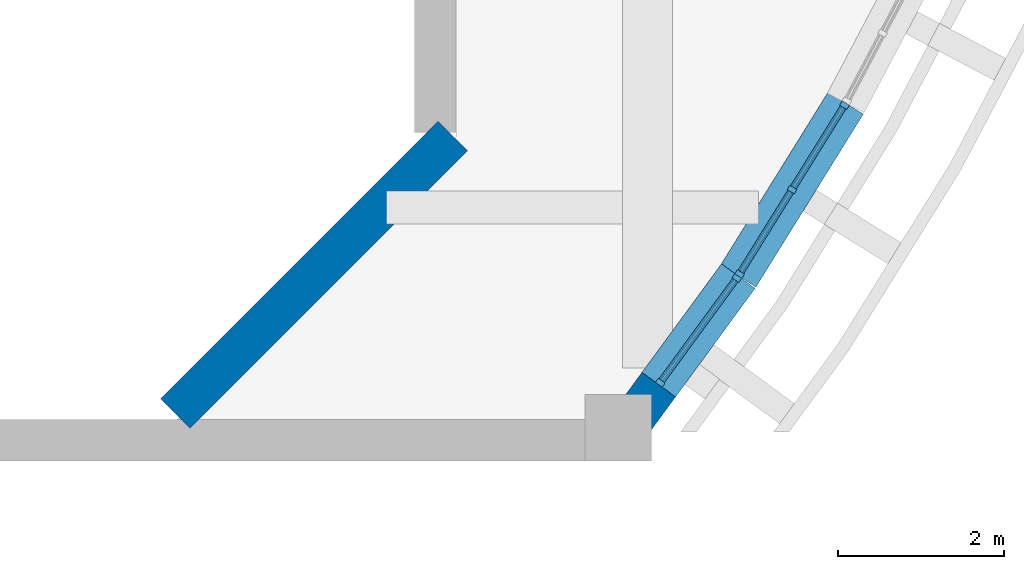
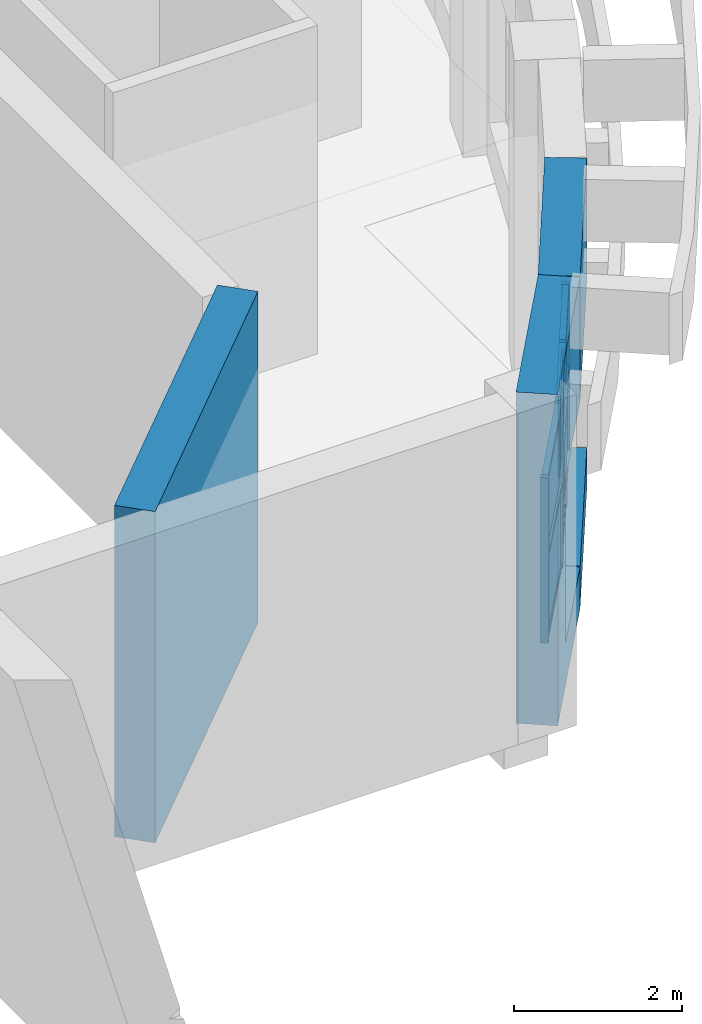
# One storey, part 14 of 79: 14 members, 6 plates, 3 walls, 2 openings, 2 elements without a shape of their own.
"""IFC4 building model written with IfcOpenShell, lengths in metres."""

from ifc_helpers import new_model, si_unit, direction, frame, frame_2d, origin, origin_2d, place, context, subcontext, project, spatial, rectangle, extrude, material, layer, layer_set, material_profile, profile_set, type_object, element, fill, aggregate, save


model = new_model("IFC4")

# Units and contexts
model_context = context("Model", 3, precision=1e-05, world=origin(), true_north=direction((0.0, 1.0)))
body_context = subcontext(model_context, "Body", "Model", "MODEL_VIEW")
ifc_project = project(units=[si_unit("LENGTHUNIT", "METRE"), si_unit("AREAUNIT", "SQUARE_METRE"), si_unit("VOLUMEUNIT", "CUBIC_METRE"), si_unit("PLANEANGLEUNIT", "RADIAN"), si_unit("MASSUNIT", "GRAM", prefix="KILO")], contexts=[model_context])

# Site, building, storey
site_placement = place(None, origin())
site = spatial("IfcSite", under=ifc_project, at=site_placement, CompositionType="ELEMENT")
building_placement = place(site_placement, origin())
building = spatial("IfcBuilding", under=site, at=building_placement, Name="Larchfold Concert Hall", CompositionType="ELEMENT")
storey_placement = place(building_placement, frame((0.0, 0.0, 14.39990234375)))
storey = spatial("IfcBuildingStorey", under=building, at=storey_placement, Name="L03", CompositionType="ELEMENT", Elevation=14.39990234375)

# Curtain wall, members
ifc_material_1 = material(Name="Anodised graphite aluminium curtain wall", Category="aluminium")
ifc_layer_1 = layer(ifc_material_1, 0.10009765625)
ifc_layer_set_1 = layer_set([ifc_layer_1], Name="Anodised graphite aluminium curtain wall")
curtain_wall_type = type_object("IfcCurtainWallType", Name="Curtain wall GB", PredefinedType="NOTDEFINED", material=ifc_layer_set_1)
curtain_wall_1_placement = place(storey_placement, origin())
curtain_wall_1 = element("IfcCurtainWall", 1, at=curtain_wall_1_placement, inside=storey, type_object=curtain_wall_type, Name="Curtain wall CW0050", PredefinedType="NOTDEFINED")
ifc_material_2 = material(Name="Anodised graphite aluminium mullion", Category="aluminium")
ifc_material_profile_1 = material_profile(ifc_material_2, rectangle(XDim=0.10009765625, YDim=0.06005859375, at=origin_2d()))
ifc_profile_set_1 = profile_set([ifc_material_profile_1], Name="Anodised graphite aluminium mullion")
member_type_1 = type_object("IfcMemberType", Name="Aluminium mullion 60x100", PredefinedType="MULLION", material=ifc_profile_set_1)
member_1_placement = place(storey_placement, frame((59.55517578125, 60.093505859375, 0.60009765625), z_axis=(0.0, 0.0, 1.0), x_axis=(-0.806860252688, 0.590742357236, 0.0)))
member_1 = element("IfcMember", 2, at=member_1_placement, type_object=member_type_1, Name="CW0050 mullion 1", PredefinedType="MULLION", context=body_context, shape_type="SweptSolid", body=[
    extrude(rectangle(XDim=0.10009765625, YDim=0.06005859375, at=origin_2d()), origin(), (0.0, 0.0, 1.0), 2.39990234375),
])
member_2_placement = place(storey_placement, frame((60.475830078125, 61.351318359375, 0.60009765625), z_axis=(0.0, 0.0, 1.0), x_axis=(-0.806860252688, 0.590742357236, 0.0)))
member_2 = element("IfcMember", 3, at=member_2_placement, type_object=member_type_1, Name="CW0050 mullion 2", PredefinedType="MULLION", context=body_context, shape_type="SweptSolid", body=[
    extrude(rectangle(XDim=0.10009765625, YDim=0.06005859375, at=origin_2d()), origin(), (0.0, 0.0, 1.0), 2.39990234375),
])

curtain_wall_2_placement = place(storey_placement, origin())
curtain_wall_2 = element("IfcCurtainWall", 4, at=curtain_wall_2_placement, inside=storey, type_object=curtain_wall_type, Name="Curtain wall CW0051", PredefinedType="NOTDEFINED")
member_3_placement = place(storey_placement, frame((60.509521484375, 61.40087890625, 0.60009765625), z_axis=(0.0, 0.0, 1.0), x_axis=(-0.849429063109, 0.527702820483, 0.0)))
member_3 = element("IfcMember", 5, at=member_3_placement, type_object=member_type_1, Name="CW0051 mullion 1", PredefinedType="MULLION", context=body_context, shape_type="SweptSolid", body=[
    extrude(rectangle(XDim=0.10009765625, YDim=0.06005859375, at=origin_2d()), origin(), (0.0, 0.0, 1.0), 2.39990234375),
])
member_4_placement = place(storey_placement, frame((61.139892578125, 62.41552734375, 0.60009765625), z_axis=(0.0, 0.0, 1.0), x_axis=(-0.849429063109, 0.527702820483, 0.0)))
member_4 = element("IfcMember", 6, at=member_4_placement, type_object=member_type_1, Name="CW0051 mullion 2", PredefinedType="MULLION", context=body_context, shape_type="SweptSolid", body=[
    extrude(rectangle(XDim=0.10009765625, YDim=0.06005859375, at=origin_2d()), origin(), (0.0, 0.0, 1.0), 2.39990234375),
])
member_5_placement = place(storey_placement, frame((61.77001953125, 63.43017578125, 0.60009765625), z_axis=(0.0, 0.0, 1.0), x_axis=(-0.849429063109, 0.527702820483, 0.0)))
member_5 = element("IfcMember", 7, at=member_5_placement, type_object=member_type_1, Name="CW0051 mullion 3", PredefinedType="MULLION", context=body_context, shape_type="SweptSolid", body=[
    extrude(rectangle(XDim=0.10009765625, YDim=0.06005859375, at=origin_2d()), origin(), (0.0, 0.0, 1.0), 2.39990234375),
])

# Member
ifc_material_3 = material(Name="Anodised graphite aluminium transom", Category="aluminium")
ifc_material_profile_2 = material_profile(ifc_material_3, rectangle(XDim=0.080078125, YDim=0.06005859375, at=origin_2d()))
ifc_profile_set_2 = profile_set([ifc_material_profile_2], Name="Anodised graphite aluminium transom")
member_type_2 = type_object("IfcMemberType", Name="Aluminium transom 60x80", PredefinedType="USERDEFINED", material=ifc_profile_set_2)
member_6_placement = place(storey_placement, frame((59.57275390625, 60.11767578125, 0.630126953125), z_axis=(0.590735063539, 0.806865592714, 0.0), x_axis=(-0.806865592714, 0.590735063539, 0.0)))
member_6 = element("IfcMember", 8, at=member_6_placement, type_object=member_type_2, Name="CW0050 transom 1.1", ObjectType="TRANSOM", PredefinedType="USERDEFINED", context=body_context, shape_type="SweptSolid", body=[
    extrude(rectangle(XDim=0.080078125, YDim=0.06005859375, at=origin_2d()), origin(), (0.0, 0.0, 1.0), 1.4990234375),
])

member_7_placement = place(storey_placement, frame((59.57275390625, 60.11767578125, 1.800048828125), z_axis=(0.590735063539, 0.806865592714, 0.0), x_axis=(-0.806865592714, 0.590735063539, 0.0)))
member_7 = element("IfcMember", 9, at=member_7_placement, type_object=member_type_2, Name="CW0050 transom 1.2", ObjectType="TRANSOM", PredefinedType="USERDEFINED", context=body_context, shape_type="SweptSolid", body=[
    extrude(rectangle(XDim=0.080078125, YDim=0.06005859375, at=origin_2d()), origin(), (0.0, 0.0, 1.0), 1.4990234375),
])

member_8_placement = place(storey_placement, frame((59.57275390625, 60.11767578125, 2.969970703125), z_axis=(0.590735063539, 0.806865592714, 0.0), x_axis=(-0.806865592714, 0.590735063539, 0.0)))
member_8 = element("IfcMember", 10, at=member_8_placement, type_object=member_type_2, Name="CW0050 transom 1.3", ObjectType="TRANSOM", PredefinedType="USERDEFINED", context=body_context, shape_type="SweptSolid", body=[
    extrude(rectangle(XDim=0.080078125, YDim=0.06005859375, at=origin_2d()), origin(), (0.0, 0.0, 1.0), 1.4990234375),
])

member_9_placement = place(storey_placement, frame((60.525390625, 61.426513671875, 0.630126953125), z_axis=(0.527694965356, 0.84943394301, 0.0), x_axis=(-0.84943394301, 0.527694965356, 0.0)))
member_9 = element("IfcMember", 11, at=member_9_placement, type_object=member_type_2, Name="CW0051 transom 1.1", ObjectType="TRANSOM", PredefinedType="USERDEFINED", context=body_context, shape_type="SweptSolid", body=[
    extrude(rectangle(XDim=0.080078125, YDim=0.06005859375, at=origin_2d()), origin(), (0.0, 0.0, 1.0), 1.134521484375),
])

member_10_placement = place(storey_placement, frame((60.525390625, 61.426513671875, 1.800048828125), z_axis=(0.527694965356, 0.84943394301, 0.0), x_axis=(-0.84943394301, 0.527694965356, 0.0)))
member_10 = element("IfcMember", 12, at=member_10_placement, type_object=member_type_2, Name="CW0051 transom 1.2", ObjectType="TRANSOM", PredefinedType="USERDEFINED", context=body_context, shape_type="SweptSolid", body=[
    extrude(rectangle(XDim=0.080078125, YDim=0.06005859375, at=origin_2d()), origin(), (0.0, 0.0, 1.0), 1.134521484375),
])

member_11_placement = place(storey_placement, frame((60.525390625, 61.426513671875, 2.969970703125), z_axis=(0.527694965356, 0.84943394301, 0.0), x_axis=(-0.84943394301, 0.527694965356, 0.0)))
member_11 = element("IfcMember", 13, at=member_11_placement, type_object=member_type_2, Name="CW0051 transom 1.3", ObjectType="TRANSOM", PredefinedType="USERDEFINED", context=body_context, shape_type="SweptSolid", body=[
    extrude(rectangle(XDim=0.080078125, YDim=0.06005859375, at=origin_2d()), origin(), (0.0, 0.0, 1.0), 1.134521484375),
])

member_12_placement = place(storey_placement, frame((61.155517578125, 62.44091796875, 0.630126953125), z_axis=(0.527694965356, 0.84943394301, 0.0), x_axis=(-0.84943394301, 0.527694965356, 0.0)))
member_12 = element("IfcMember", 14, at=member_12_placement, type_object=member_type_2, Name="CW0051 transom 2.1", ObjectType="TRANSOM", PredefinedType="USERDEFINED", context=body_context, shape_type="SweptSolid", body=[
    extrude(rectangle(XDim=0.080078125, YDim=0.06005859375, at=origin_2d()), origin(), (0.0, 0.0, 1.0), 1.134521484375),
])

member_13_placement = place(storey_placement, frame((61.155517578125, 62.44091796875, 1.800048828125), z_axis=(0.527694965356, 0.84943394301, 0.0), x_axis=(-0.84943394301, 0.527694965356, 0.0)))
member_13 = element("IfcMember", 15, at=member_13_placement, type_object=member_type_2, Name="CW0051 transom 2.2", ObjectType="TRANSOM", PredefinedType="USERDEFINED", context=body_context, shape_type="SweptSolid", body=[
    extrude(rectangle(XDim=0.080078125, YDim=0.06005859375, at=origin_2d()), origin(), (0.0, 0.0, 1.0), 1.134521484375),
])

member_14_placement = place(storey_placement, frame((61.155517578125, 62.44091796875, 2.969970703125), z_axis=(0.527694965356, 0.84943394301, 0.0), x_axis=(-0.84943394301, 0.527694965356, 0.0)))
member_14 = element("IfcMember", 16, at=member_14_placement, type_object=member_type_2, Name="CW0051 transom 2.3", ObjectType="TRANSOM", PredefinedType="USERDEFINED", context=body_context, shape_type="SweptSolid", body=[
    extrude(rectangle(XDim=0.080078125, YDim=0.06005859375, at=origin_2d()), origin(), (0.0, 0.0, 1.0), 1.134521484375),
])

# Plate
ifc_material_4 = material(Name="Insulated glazing unit, glass", Category="glass")
ifc_layer_2 = layer(ifc_material_4, 0.02392578125)
ifc_layer_set_2 = layer_set([ifc_layer_2], Name="Insulated glazing unit, glass")
plate_type_1 = type_object("IfcPlateType", Name="Glass panel 24", PredefinedType="CURTAIN_PANEL", material=ifc_layer_set_2)
plate_1_placement = place(storey_placement, frame((60.015625, 60.722412109375, 1.830078125), z_axis=(0.0, 0.0, 1.0), x_axis=(0.590742357236, 0.806860252688, 0.0)))
plate_1 = element("IfcPlate", 17, at=plate_1_placement, type_object=plate_type_1, Name="CW0050 panel 1.2", PredefinedType="CURTAIN_PANEL", context=body_context, shape_type="SweptSolid", body=[
    extrude(rectangle(XDim=1.498779296875, YDim=0.02392578125, at=origin_2d()), origin(), (0.0, 0.0, 1.0), 1.10986328125),
])

plate_2_placement = place(storey_placement, frame((60.82470703125, 61.908203125, 1.830078125), z_axis=(0.0, 0.0, 1.0), x_axis=(0.527702820483, 0.849429063109, 0.0)))
plate_2 = element("IfcPlate", 18, at=plate_2_placement, type_object=plate_type_1, Name="CW0051 panel 1.2", PredefinedType="CURTAIN_PANEL", context=body_context, shape_type="SweptSolid", body=[
    extrude(rectangle(XDim=1.13427734375, YDim=0.02392578125, at=origin_2d()), origin(), (0.0, 0.0, 1.0), 1.10986328125),
])

plate_3_placement = place(storey_placement, frame((61.454833984375, 62.9228515625, 1.830078125), z_axis=(0.0, 0.0, 1.0), x_axis=(0.527702820483, 0.849429063109, 0.0)))
plate_3 = element("IfcPlate", 19, at=plate_3_placement, type_object=plate_type_1, Name="CW0051 panel 2.2", PredefinedType="CURTAIN_PANEL", context=body_context, shape_type="SweptSolid", body=[
    extrude(rectangle(XDim=1.13427734375, YDim=0.02392578125, at=origin_2d()), origin(), (0.0, 0.0, 1.0), 1.10986328125),
])

ifc_material_5 = material(Name="White insulated panel")
ifc_layer_3 = layer(ifc_material_5, 0.050048828125)
ifc_layer_set_3 = layer_set([ifc_layer_3], Name="White insulated panel")
plate_type_2 = type_object("IfcPlateType", Name="Insulated spandrel panel 50", PredefinedType="CURTAIN_PANEL", material=ifc_layer_set_3)
plate_4_placement = place(storey_placement, frame((60.015625, 60.722412109375, 0.66015625), z_axis=(0.0, 0.0, 1.0), x_axis=(0.590742357236, 0.806860252688, 0.0)))
plate_4 = element("IfcPlate", 20, at=plate_4_placement, type_object=plate_type_2, Name="CW0050 panel 1.1", PredefinedType="CURTAIN_PANEL", context=body_context, shape_type="SweptSolid", body=[
    extrude(rectangle(XDim=1.498779296875, YDim=0.050048828125, at=origin_2d()), origin(), (0.0, 0.0, 1.0), 1.10986328125),
])

aggregate(curtain_wall_1, [member_1, member_2, member_6, member_7, member_8, plate_4, plate_1])

plate_5_placement = place(storey_placement, frame((60.82470703125, 61.908203125, 0.66015625), z_axis=(0.0, 0.0, 1.0), x_axis=(0.527702820483, 0.849429063109, 0.0)))
plate_5 = element("IfcPlate", 21, at=plate_5_placement, type_object=plate_type_2, Name="CW0051 panel 1.1", PredefinedType="CURTAIN_PANEL", context=body_context, shape_type="SweptSolid", body=[
    extrude(rectangle(XDim=1.13427734375, YDim=0.050048828125, at=origin_2d()), origin(), (0.0, 0.0, 1.0), 1.10986328125),
])

plate_6_placement = place(storey_placement, frame((61.454833984375, 62.9228515625, 0.66015625), z_axis=(0.0, 0.0, 1.0), x_axis=(0.527702820483, 0.849429063109, 0.0)))
plate_6 = element("IfcPlate", 22, at=plate_6_placement, type_object=plate_type_2, Name="CW0051 panel 2.1", PredefinedType="CURTAIN_PANEL", context=body_context, shape_type="SweptSolid", body=[
    extrude(rectangle(XDim=1.13427734375, YDim=0.050048828125, at=origin_2d()), origin(), (0.0, 0.0, 1.0), 1.10986328125),
])

aggregate(curtain_wall_2, [member_3, member_4, member_5, member_9, member_10, member_11, plate_5, plate_2, member_12, member_13, member_14, plate_6, plate_3])

# Wall, opening
ifc_material_6 = material(Name="Concrete C30/37", Category="concrete")
ifc_layer_4 = layer(ifc_material_6, 0.5)
ifc_layer_set_4 = layer_set([ifc_layer_4], Name="Concrete C30/37")
wall_type_1 = type_object("IfcWallType", Name="Wall RC 500 drum facade", PredefinedType="SOLIDWALL", material=ifc_layer_set_4)
wall_1_placement = place(storey_placement, frame((59.047119140625, 59.39990234375, 0.0), z_axis=(0.0, 0.0, 1.0), x_axis=(0.590771306399, 0.806839056774, 0.0)))
wall_1 = element("IfcWall", 23, at=wall_1_placement, inside=storey, type_object=wall_type_1, Name="Wall DW051", PredefinedType="SOLIDWALL", context=body_context, shape_type="SweptSolid", body=[
    extrude(rectangle(XDim=2.448486328125, YDim=0.5, at=frame_2d((1.22412109375, 0.0))), origin(), (0.0, 0.0, 1.0), 4.800048828125),
])
opening_1_placement = place(wall_1_placement, frame((0.829833984375, 0.0, 0.60009765625)))
opening_1 = element("IfcOpeningElement", 24, at=opening_1_placement, cuts=wall_1, Name="Opening CW0050", PredefinedType="OPENING", context=body_context, shape_type="SweptSolid", body=[
    extrude(rectangle(XDim=1.618896484375, YDim=2.39990234375, at=frame_2d((0.8095703125, 1.199951171875))), frame((0.0, 0.260009765625, 0.0), z_axis=(0.0, -1.0, 0.0), x_axis=(1.0, 0.0, 0.0)), (0.0, 0.0, 1.0), 0.52001953125),
])

fill(opening_1, curtain_wall_1)

wall_2_placement = place(storey_placement, frame((60.49365234375, 61.37548828125, 0.0), z_axis=(0.0, 0.0, 1.0), x_axis=(0.527702820527, 0.849429063082, 0.0)))
wall_2 = element("IfcWall", 25, at=wall_2_placement, inside=storey, type_object=wall_type_1, Name="Wall DW052", PredefinedType="SOLIDWALL", context=body_context, shape_type="SweptSolid", body=[
    extrude(rectangle(XDim=2.44873046875, YDim=0.5, at=frame_2d((1.224365234375, 0.0))), origin(), (0.0, 0.0, 1.0), 4.800048828125),
])
opening_2_placement = place(wall_2_placement, frame((0.0, 0.0, 0.60009765625)))
opening_2 = element("IfcOpeningElement", 26, at=opening_2_placement, cuts=wall_2, Name="Opening CW0051", PredefinedType="OPENING", context=body_context, shape_type="SweptSolid", body=[
    extrude(rectangle(XDim=2.44873046875, YDim=2.39990234375, at=frame_2d((1.224365234375, 1.199951171875))), frame((0.0, 0.260009765625, 0.0), z_axis=(0.0, -1.0, 0.0), x_axis=(1.0, 0.0, 0.0)), (0.0, 0.0, 1.0), 0.52001953125),
])

fill(opening_2, curtain_wall_2)

# Wall
ifc_material_7 = material(Name="Concrete C40/50", Category="concrete")
ifc_layer_5 = layer(ifc_material_7, 0.5)
ifc_layer_set_5 = layer_set([ifc_layer_5], Name="Concrete C40/50")
wall_type_2 = type_object("IfcWallType", Name="Wall RC 500 hall shell", PredefinedType="SOLIDWALL", material=ifc_layer_set_5)
wall_3_placement = place(storey_placement, frame((53.722900390625, 59.72265625, 0.0), z_axis=(0.0, 0.0, 1.0), x_axis=(0.707106781187, 0.707106781187, 0.0)))
element("IfcWall", 27, at=wall_3_placement, inside=storey, type_object=wall_type_2, Name="Wall W0001", PredefinedType="SOLIDWALL", context=body_context, shape_type="SweptSolid", body=[
    extrude(rectangle(XDim=4.720947265625, YDim=0.5, at=frame_2d((2.3603515625, 0.0))), origin(), (0.0, 0.0, 1.0), 4.800048828125),
])

save(model, "model.ifc")
